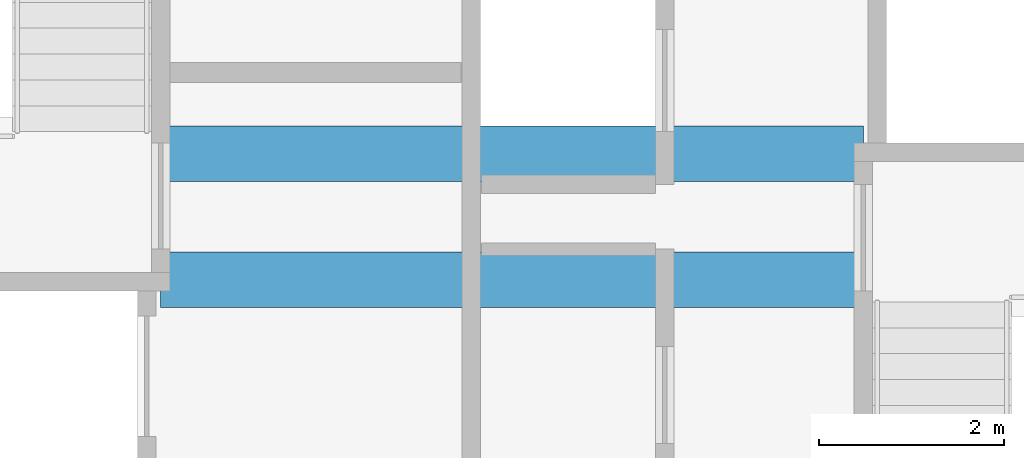
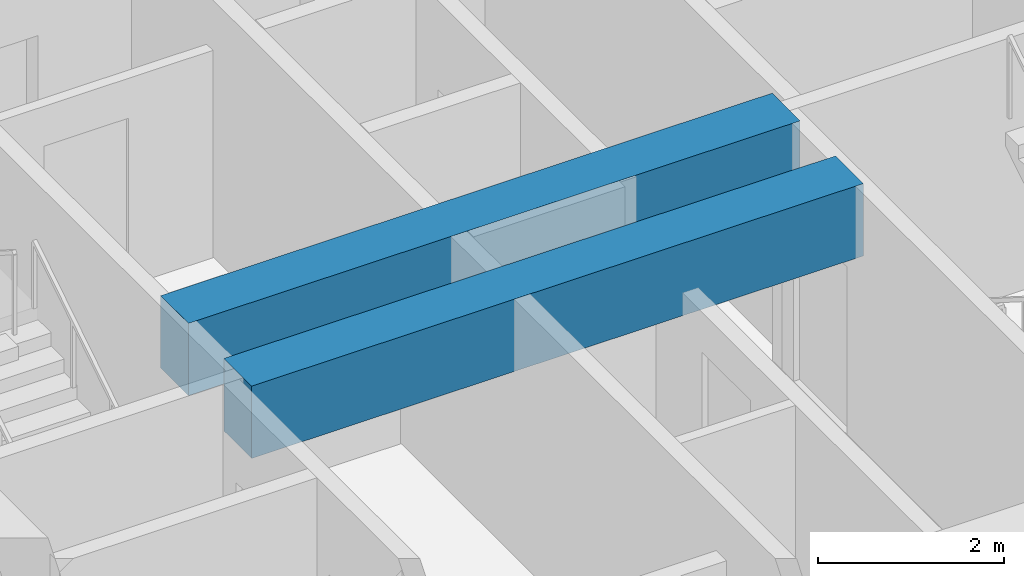
# One storey, part 9 of 44: 2 beams.
"""IFC4 building model written with IfcOpenShell, lengths in metres."""

from ifc_helpers import new_model, si_unit, direction, frame, origin, origin_2d, place, context, subcontext, project, spatial, rectangle, extrude, material, material_profile, profile_set, type_object, element, save


model = new_model("IFC4")

# Units and contexts
model_context = context("Model", 3, precision=1e-05, world=origin(), true_north=direction((0.0, 1.0)))
body_context = subcontext(model_context, "Body", "Model", "MODEL_VIEW")
ifc_project = project(units=[si_unit("LENGTHUNIT", "METRE"), si_unit("AREAUNIT", "SQUARE_METRE"), si_unit("VOLUMEUNIT", "CUBIC_METRE"), si_unit("PLANEANGLEUNIT", "RADIAN"), si_unit("MASSUNIT", "GRAM", prefix="KILO")], contexts=[model_context])

# Site, building, storey
site_placement = place(None, origin())
site = spatial("IfcSite", under=ifc_project, at=site_placement, CompositionType="ELEMENT")
building_placement = place(site_placement, origin())
building = spatial("IfcBuilding", under=site, at=building_placement, Name="Tashvorn Skyway Center", CompositionType="ELEMENT")
storey_placement = place(building_placement, frame((0.0, 0.0, 149.89990234375)))
storey = spatial("IfcBuildingStorey", under=building, at=storey_placement, Name="L40", CompositionType="ELEMENT", Elevation=149.89990234375)

# Beams
ifc_material = material(Name="Concrete C60/75", Category="concrete")
ifc_material_profile = material_profile(ifc_material, rectangle(XDim=0.60009765625, YDim=0.949951171875, at=origin_2d()), Name="RCB600x950")
ifc_profile_set = profile_set([ifc_material_profile], Name="Concrete C60/75")
beam_type = type_object("IfcBeamType", Name="BM-LINTEL-RCB600x950", PredefinedType="LINTEL", material=ifc_profile_set)
for number, where, z_axis, x_axis, name in (
    (1, (38.199951171875, 32.679931640625, 2.89501953125), (1.0, 0.0, 0.0), (0.0, 1.0, 0.0), "Tower 1 L40 Core Coupling Beam CN"),
    (2, (38.199951171875, 31.320068359375, 2.89501953125), (1.0, 0.0, 0.0), (0.0, 1.0, 0.0), "Tower 1 L40 Core Coupling Beam CS"),
):
    element("IfcBeam", number, at=place(storey_placement, frame(where, z_axis=z_axis, x_axis=x_axis)), inside=storey, type_object=beam_type, Name=name, PredefinedType="LINTEL", context=body_context, shape_type="SweptSolid", body=[
        extrude(rectangle(XDim=0.60009765625, YDim=0.949951171875, at=origin_2d()), origin(), (0.0, 0.0, 1.0), 7.60009765625),
    ])

save(model, "model.ifc")
